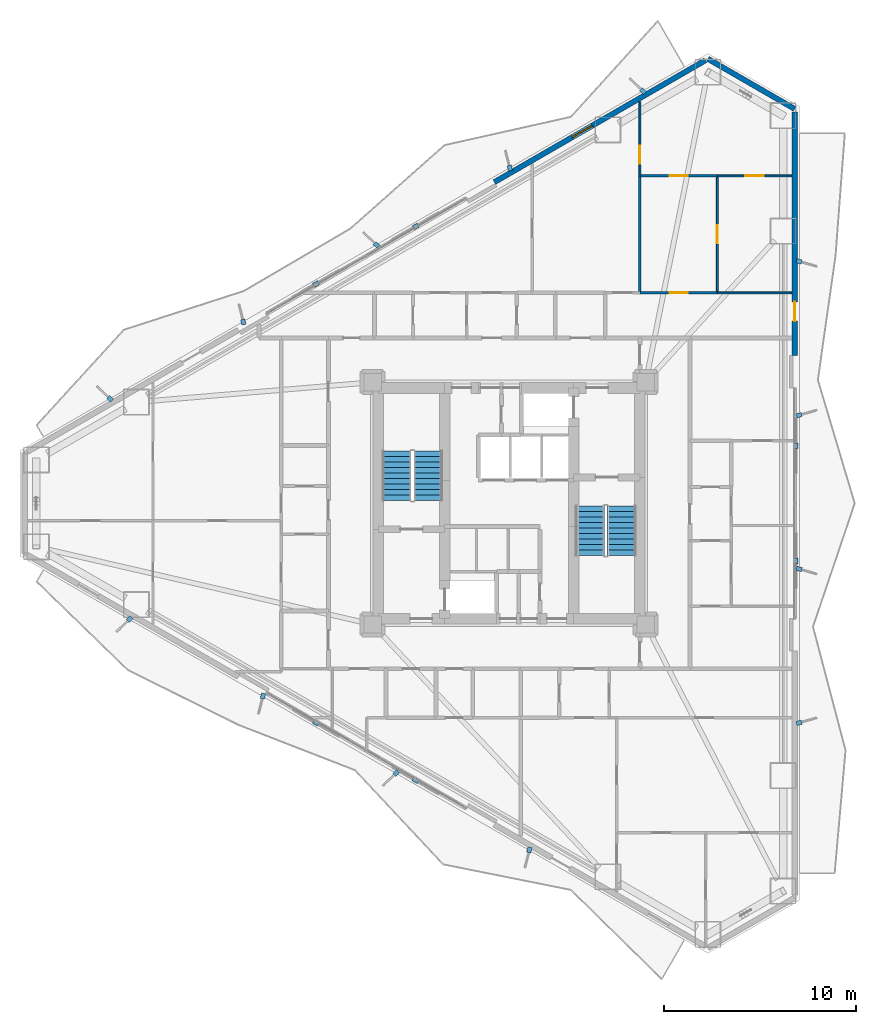
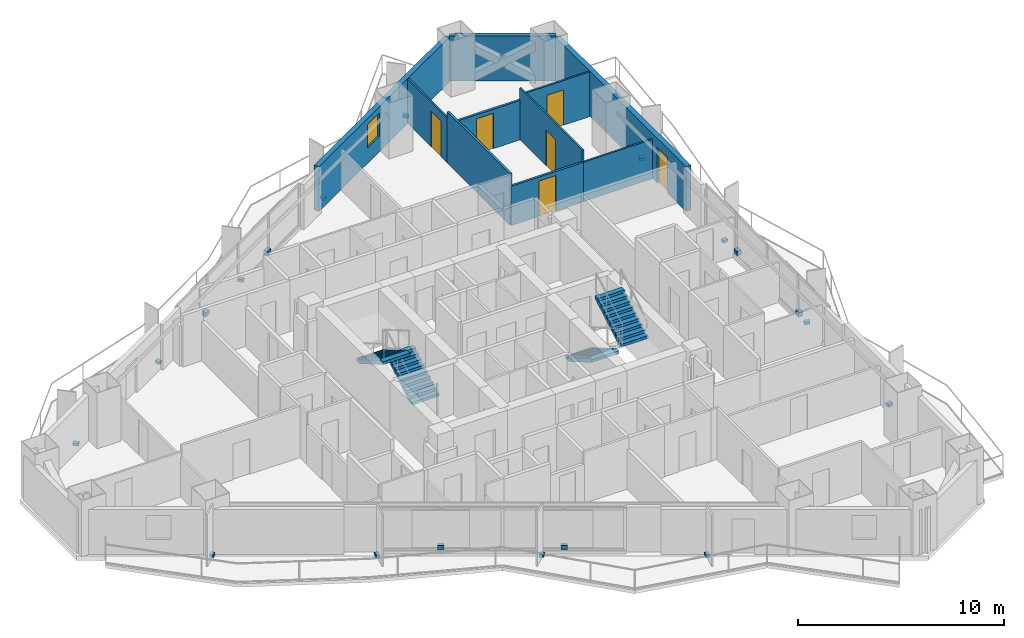
# One storey, part 17 of 19: 19 discrete accessories, 10 walls, 6 doors, 4 stair flights, 1 window, 7 openings, 2 elements without a shape of their own.
"""IFC4 building model written with IfcOpenShell, lengths in metres."""

from ifc_helpers import new_model, si_unit, direction, frame, frame_2d, origin, origin_2d, place, context, subcontext, project, spatial, polyline, rectangle, outline, extrude, material, layer, layer_set, type_object, element, fill, aggregate, save


model = new_model("IFC4")

# Units and contexts
model_context = context("Model", 3, precision=1e-05, world=origin(), true_north=direction((0.0, 1.0)))
body_context = subcontext(model_context, "Body", "Model", "MODEL_VIEW")
ifc_project = project(units=[si_unit("LENGTHUNIT", "METRE"), si_unit("AREAUNIT", "SQUARE_METRE"), si_unit("VOLUMEUNIT", "CUBIC_METRE"), si_unit("PLANEANGLEUNIT", "RADIAN"), si_unit("MASSUNIT", "GRAM", prefix="KILO")], contexts=[model_context])

# Site, building, storey
site_placement = place(None, origin())
site = spatial("IfcSite", under=ifc_project, at=site_placement, CompositionType="ELEMENT")
building_placement = place(site_placement, origin())
building = spatial("IfcBuilding", under=site, at=building_placement, Name="Mersakhor Tower and Convention Hall", CompositionType="ELEMENT")
storey_placement = place(building_placement, frame((0.0, 0.0, 25.800048828125)))
storey = spatial("IfcBuildingStorey", under=building, at=storey_placement, Name="L06", CompositionType="ELEMENT", Elevation=25.800048828125)

# Wall
ifc_material_1 = material(Name="Precast concrete C45/55", Category="concrete")
ifc_layer_1 = layer(ifc_material_1, 0.27490234375)
ifc_layer_set_1 = layer_set([ifc_layer_1], Name="Precast concrete C45/55")
wall_type_1 = type_object("IfcWallType", Name="WL-EXT-275", PredefinedType="SOLIDWALL", material=ifc_layer_set_1)
wall_1_placement = place(storey_placement, frame((39.3369140625, 49.865234375, 0.0), z_axis=(0.0, 0.0, 1.0), x_axis=(0.866043601342, -0.499968479581, 0.0)))
element("IfcWall", 1, at=wall_1_placement, inside=storey, type_object=wall_type_1, Name="L06 Chamfer Braced Spandrel Wall C1", PredefinedType="SOLIDWALL", context=body_context, shape_type="SweptSolid", body=[
    extrude(rectangle(XDim=5.211181640625, YDim=0.27490234375, at=frame_2d((2.60546875, 0.0))), origin(), (0.0, 0.0, 1.0), 2.659912109375),
])

# Wall, opening, window
wall_2_placement = place(storey_placement, frame((28.231689453125, 43.453857421875, 0.0), z_axis=(0.0, 0.0, 1.0), x_axis=(0.86603192154, 0.499988710747, 0.0)))
wall_2 = element("IfcWall", 2, at=wall_2_placement, inside=storey, type_object=wall_type_1, Name="L06 Exterior Facade Wall F1-B3", PredefinedType="SOLIDWALL", context=body_context, shape_type="SweptSolid", body=[
    extrude(rectangle(XDim=12.673095703125, YDim=0.27490234375, at=frame_2d((6.33642578125, 0.0))), origin(), (0.0, 0.0, 1.0), 2.659912109375),
])
opening_1_placement = place(wall_2_placement, frame((4.679931640625, 0.0, 0.89990234375)))
opening_1 = element("IfcOpeningElement", 3, at=opening_1_placement, cuts=wall_2, Name="Opening W-01", PredefinedType="OPENING", context=body_context, shape_type="SweptSolid", body=[
    extrude(rectangle(XDim=1.199951171875, YDim=1.39990234375, at=frame_2d((0.60009765625, 0.699951171875))), frame((0.0, 0.1474609375, 0.0), z_axis=(0.0, -1.0, 0.0), x_axis=(1.0, 0.0, 0.0)), (0.0, 0.0, 1.0), 0.294921875),
])
ifc_material_2 = material(Name="Dark solar low-E glazed aluminium window", Category="aluminium")
window_type = type_object("IfcWindowType", Name="WN-RES-120x150", PartitioningType="SINGLE_PANEL", PredefinedType="WINDOW", material=ifc_material_2)
window_placement = place(opening_1_placement, origin())
window = element("IfcWindow", 4, at=window_placement, inside=storey, type_object=window_type, Name="L06 Bedroom Facade Window F1-B3-1", OverallHeight=1.39990234375, OverallWidth=1.199951171875, PartitioningType="SINGLE_PANEL", PredefinedType="WINDOW", context=body_context, shape_type="SweptSolid", body=[
    extrude(rectangle(XDim=1.199951171875, YDim=1.39990234375, at=frame_2d((0.60009765625, 0.699951171875))), frame((0.0, 0.030029296875, 0.0), z_axis=(0.0, -1.0, 0.0), x_axis=(1.0, 0.0, 0.0)), (0.0, 0.0, 1.0), 0.06005859375),
])
fill(opening_1, window)

# Wall, opening, door
wall_3_placement = place(storey_placement, frame((43.85009765625, 47.109619140625, 0.0), z_axis=(0.0, 0.0, 1.0), x_axis=(0.0, -1.0, 0.0)))
wall_3 = element("IfcWall", 5, at=wall_3_placement, inside=storey, type_object=wall_type_1, Name="L06 Exterior Facade Wall F2-B1", PredefinedType="SOLIDWALL", context=body_context, shape_type="SweptSolid", body=[
    extrude(rectangle(XDim=12.673095703125, YDim=0.27490234375, at=frame_2d((6.33642578125, 0.0))), origin(), (0.0, 0.0, 1.0), 2.659912109375),
])
opening_2_placement = place(wall_3_placement, frame((9.8798828125, 0.0, 0.0)))
opening_2 = element("IfcOpeningElement", 6, at=opening_2_placement, cuts=wall_3, Name="Opening BD-01", PredefinedType="OPENING", context=body_context, shape_type="SweptSolid", body=[
    extrude(rectangle(XDim=1.0, YDim=2.10009765625, at=frame_2d((0.5, 1.050048828125))), frame((0.0, 0.1474609375, 0.0), z_axis=(0.0, -1.0, 0.0), x_axis=(1.0, 0.0, 0.0)), (0.0, 0.0, 1.0), 0.294921875),
])
ifc_material_3 = material(Name="Thermally broken dark aluminium and safety glass", Category="aluminium")
door_type_1 = type_object("IfcDoorType", Name="DR-BAL-100x210", OperationType="NOTDEFINED", PredefinedType="DOOR", material=ifc_material_3)
door_1_placement = place(opening_2_placement, origin())
door_1 = element("IfcDoor", 7, at=door_1_placement, inside=storey, type_object=door_type_1, Name="L06 Balcony Terrace Door F2-B1", OperationType="SINGLE_SWING_LEFT", OverallHeight=2.10009765625, OverallWidth=1.0, PredefinedType="DOOR", context=body_context, shape_type="SweptSolid", body=[
    extrude(rectangle(XDim=1.0, YDim=2.10009765625, at=frame_2d((0.5, 1.050048828125))), frame((0.0, 0.02490234375, 0.0), z_axis=(0.0, -1.0, 0.0), x_axis=(1.0, 0.0, 0.0)), (0.0, 0.0, 1.0), 0.050048828125),
])
fill(opening_2, door_1)

# Wall
ifc_material_4 = material(Name="Lightweight gypsum partition", Category="other")
ifc_layer_2 = layer(ifc_material_4, 0.10009765625)
ifc_layer_set_2 = layer_set([ifc_layer_2], Name="Lightweight gypsum partition")
wall_type_2 = type_object("IfcWallType", Name="WL-PRT-100", PredefinedType="PARTITIONING", material=ifc_layer_set_2)
wall_4_placement = place(storey_placement, frame((39.830078125, 37.699951171875, 0.0), z_axis=(0.0, 0.0, 1.0), x_axis=(1.0, 0.0, 0.0)))
element("IfcWall", 8, at=wall_4_placement, inside=storey, type_object=wall_type_2, Name="L06 Interior Partition Wall P-118", PredefinedType="PARTITIONING", context=body_context, shape_type="SweptSolid", body=[
    extrude(rectangle(XDim=3.8583984375, YDim=0.10009765625, at=frame_2d((1.92919921875, 0.0))), origin(), (0.0, 0.0, 1.0), 2.33740234375),
])

# Wall, opening, door
wall_5_placement = place(storey_placement, frame((35.800048828125, 47.63671875, 0.0), z_axis=(0.0, 0.0, 1.0), x_axis=(0.0, -1.0, 0.0)))
wall_5 = element("IfcWall", 9, at=wall_5_placement, inside=storey, type_object=wall_type_2, Name="L06 Interior Partition Wall P-120", PredefinedType="PARTITIONING", context=body_context, shape_type="SweptSolid", body=[
    extrude(rectangle(XDim=3.856689453125, YDim=0.10009765625, at=frame_2d((1.92822265625, 0.0))), origin(), (0.0, 0.0, 1.0), 2.650390625),
])
opening_3_placement = place(wall_5_placement, frame((2.27734375, 0.0, 0.0)))
opening_3 = element("IfcOpeningElement", 10, at=opening_3_placement, cuts=wall_5, Name="Opening RD-01", PredefinedType="OPENING", context=body_context, shape_type="SweptSolid", body=[
    extrude(rectangle(XDim=0.949951171875, YDim=2.10009765625, at=frame_2d((0.47509765625, 1.050048828125))), frame((0.0, 0.06005859375, 0.0), z_axis=(0.0, -1.0, 0.0), x_axis=(1.0, 0.0, 0.0)), (0.0, 0.0, 1.0), 0.1201171875),
])
ifc_material_5 = material(Name="Solid-core hardwood leaf in painted steel frame", Category="steel")
door_type_2 = type_object("IfcDoorType", Name="DR-INT-RM-095x210", OperationType="NOTDEFINED", PredefinedType="DOOR", material=ifc_material_5)
door_2_placement = place(opening_3_placement, origin())
door_2 = element("IfcDoor", 11, at=door_2_placement, inside=storey, type_object=door_type_2, Name="L06 L06 Flat N1 Master Bedroom to L06 Flat N1 Dining Room Door", OperationType="SINGLE_SWING_RIGHT", OverallHeight=2.10009765625, OverallWidth=0.949951171875, PredefinedType="DOOR", context=body_context, shape_type="SweptSolid", body=[
    extrude(rectangle(XDim=0.949951171875, YDim=2.10009765625, at=frame_2d((0.47509765625, 1.050048828125))), frame((0.0, 0.02490234375, 0.0), z_axis=(0.0, -1.0, 0.0), x_axis=(1.0, 0.0, 0.0)), (0.0, 0.0, 1.0), 0.050048828125),
])
fill(opening_3, door_2)

wall_6_placement = place(storey_placement, frame((39.830078125, 43.780029296875, 0.0), z_axis=(0.0, 0.0, 1.0), x_axis=(0.0, -1.0, 0.0)))
wall_6 = element("IfcWall", 12, at=wall_6_placement, inside=storey, type_object=wall_type_2, Name="L06 Interior Partition Wall P-122", PredefinedType="PARTITIONING", context=body_context, shape_type="SweptSolid", body=[
    extrude(rectangle(XDim=6.080078125, YDim=0.10009765625, at=frame_2d((3.0400390625, 0.0))), origin(), (0.0, 0.0, 1.0), 3.0400390625),
])
opening_4_placement = place(wall_6_placement, frame((2.56494140625, 0.0, 0.0)))
opening_4 = element("IfcOpeningElement", 13, at=opening_4_placement, cuts=wall_6, Name="Opening RD-01", PredefinedType="OPENING", context=body_context, shape_type="SweptSolid", body=[
    extrude(rectangle(XDim=0.949951171875, YDim=2.10009765625, at=frame_2d((0.47509765625, 1.050048828125))), frame((0.0, 0.06005859375, 0.0), z_axis=(0.0, -1.0, 0.0), x_axis=(1.0, 0.0, 0.0)), (0.0, 0.0, 1.0), 0.1201171875),
])
door_3_placement = place(opening_4_placement, origin())
door_3 = element("IfcDoor", 14, at=door_3_placement, inside=storey, type_object=door_type_2, Name="L06 L06 Flat N1 Bedroom 2 to L06 Flat N1 Study Room Door", OperationType="SINGLE_SWING_LEFT", OverallHeight=2.10009765625, OverallWidth=0.949951171875, PredefinedType="DOOR", context=body_context, shape_type="SweptSolid", body=[
    extrude(rectangle(XDim=0.949951171875, YDim=2.10009765625, at=frame_2d((0.47509765625, 1.050048828125))), frame((0.0, 0.02490234375, 0.0), z_axis=(0.0, -1.0, 0.0), x_axis=(1.0, 0.0, 0.0)), (0.0, 0.0, 1.0), 0.050048828125),
])
fill(opening_4, door_3)

wall_7_placement = place(storey_placement, frame((39.830078125, 43.780029296875, 0.0), z_axis=(0.0, 0.0, 1.0), x_axis=(1.0, 0.0, 0.0)))
wall_7 = element("IfcWall", 15, at=wall_7_placement, inside=storey, type_object=wall_type_2, Name="L06 Interior Partition Wall P-124", PredefinedType="PARTITIONING", context=body_context, shape_type="SweptSolid", body=[
    extrude(rectangle(XDim=3.8583984375, YDim=0.10009765625, at=frame_2d((1.92919921875, 0.0))), origin(), (0.0, 0.0, 1.0), 2.650390625),
])
opening_5_placement = place(wall_7_placement, frame((1.4541015625, 0.0, 0.0)))
opening_5 = element("IfcOpeningElement", 16, at=opening_5_placement, cuts=wall_7, Name="Opening RD-01", PredefinedType="OPENING", context=body_context, shape_type="SweptSolid", body=[
    extrude(rectangle(XDim=0.949951171875, YDim=2.10009765625, at=frame_2d((0.47509765625, 1.050048828125))), frame((0.0, 0.06005859375, 0.0), z_axis=(0.0, -1.0, 0.0), x_axis=(1.0, 0.0, 0.0)), (0.0, 0.0, 1.0), 0.1201171875),
])
door_4_placement = place(opening_5_placement, origin())
door_4 = element("IfcDoor", 17, at=door_4_placement, inside=storey, type_object=door_type_2, Name="L06 L06 Flat N1 Study Room to L06 Flat N1 Dining Room Door", OperationType="SINGLE_SWING_LEFT", OverallHeight=2.10009765625, OverallWidth=0.949951171875, PredefinedType="DOOR", context=body_context, shape_type="SweptSolid", body=[
    extrude(rectangle(XDim=0.949951171875, YDim=2.10009765625, at=frame_2d((0.47509765625, 1.050048828125))), frame((0.0, 0.02490234375, 0.0), z_axis=(0.0, -1.0, 0.0), x_axis=(1.0, 0.0, 0.0)), (0.0, 0.0, 1.0), 0.050048828125),
])
fill(opening_5, door_4)

ifc_material_6 = material(Name="Gypsum board acoustic partition", Category="other")
ifc_layer_3 = layer(ifc_material_6, 0.125)
ifc_layer_set_3 = layer_set([ifc_layer_3], Name="Gypsum board acoustic partition")
wall_type_3 = type_object("IfcWallType", Name="WL-PRT-125", PredefinedType="PARTITIONING", material=ifc_layer_set_3)
wall_8_placement = place(storey_placement, frame((35.800048828125, 37.699951171875, 0.0), z_axis=(0.0, 0.0, 1.0), x_axis=(1.0, 0.0, 0.0)))
wall_8 = element("IfcWall", 18, at=wall_8_placement, inside=storey, type_object=wall_type_3, Name="L06 Interior Partition Wall P-117", PredefinedType="PARTITIONING", context=body_context, shape_type="SweptSolid", body=[
    extrude(rectangle(XDim=4.030029296875, YDim=0.125, at=frame_2d((2.01513671875, 0.0))), origin(), (0.0, 0.0, 1.0), 2.33740234375),
])
opening_6_placement = place(wall_8_placement, frame((1.5400390625, 0.0, 0.0)))
opening_6 = element("IfcOpeningElement", 19, at=opening_6_placement, cuts=wall_8, Name="Opening RD-01", PredefinedType="OPENING", context=body_context, shape_type="SweptSolid", body=[
    extrude(rectangle(XDim=0.949951171875, YDim=2.10009765625, at=frame_2d((0.47509765625, 1.050048828125))), frame((0.0, 0.072509765625, 0.0), z_axis=(0.0, -1.0, 0.0), x_axis=(1.0, 0.0, 0.0)), (0.0, 0.0, 1.0), 0.14501953125),
])
door_5_placement = place(opening_6_placement, origin())
door_5 = element("IfcDoor", 20, at=door_5_placement, inside=storey, type_object=door_type_2, Name="L06 L06 Flat N1 Study Room to L06 Flat N1 Bedroom 2 Door", OperationType="SINGLE_SWING_RIGHT", OverallHeight=2.10009765625, OverallWidth=0.949951171875, PredefinedType="DOOR", context=body_context, shape_type="SweptSolid", body=[
    extrude(rectangle(XDim=0.949951171875, YDim=2.10009765625, at=frame_2d((0.47509765625, 1.050048828125))), frame((0.0, 0.02490234375, 0.0), z_axis=(0.0, -1.0, 0.0), x_axis=(1.0, 0.0, 0.0)), (0.0, 0.0, 1.0), 0.050048828125),
])
fill(opening_6, door_5)

# Wall
wall_9_placement = place(storey_placement, frame((35.800048828125, 43.780029296875, 0.0), z_axis=(0.0, 0.0, 1.0), x_axis=(0.0, -1.0, 0.0)))
element("IfcWall", 21, at=wall_9_placement, inside=storey, type_object=wall_type_3, Name="L06 Interior Partition Wall P-121", PredefinedType="PARTITIONING", context=body_context, shape_type="SweptSolid", body=[
    extrude(rectangle(XDim=6.080078125, YDim=0.125, at=frame_2d((3.0400390625, 0.0))), origin(), (0.0, 0.0, 1.0), 3.0400390625),
])

# Wall, opening, door
wall_10_placement = place(storey_placement, frame((35.800048828125, 43.780029296875, 0.0), z_axis=(0.0, 0.0, 1.0), x_axis=(1.0, 0.0, 0.0)))
wall_10 = element("IfcWall", 22, at=wall_10_placement, inside=storey, type_object=wall_type_3, Name="L06 Interior Partition Wall P-123", PredefinedType="PARTITIONING", context=body_context, shape_type="SweptSolid", body=[
    extrude(rectangle(XDim=4.030029296875, YDim=0.125, at=frame_2d((2.01513671875, 0.0))), origin(), (0.0, 0.0, 1.0), 2.33740234375),
])
opening_7_placement = place(wall_10_placement, frame((1.5400390625, 0.0, 0.0)))
opening_7 = element("IfcOpeningElement", 23, at=opening_7_placement, cuts=wall_10, Name="Opening RD-01", PredefinedType="OPENING", context=body_context, shape_type="SweptSolid", body=[
    extrude(rectangle(XDim=0.949951171875, YDim=2.10009765625, at=frame_2d((0.47509765625, 1.050048828125))), frame((0.0, 0.072509765625, 0.0), z_axis=(0.0, -1.0, 0.0), x_axis=(1.0, 0.0, 0.0)), (0.0, 0.0, 1.0), 0.14501953125),
])
door_6_placement = place(opening_7_placement, origin())
door_6 = element("IfcDoor", 24, at=door_6_placement, inside=storey, type_object=door_type_2, Name="L06 L06 Flat N1 Bedroom 2 to L06 Flat N1 Dining Room Door", OperationType="SINGLE_SWING_RIGHT", OverallHeight=2.10009765625, OverallWidth=0.949951171875, PredefinedType="DOOR", context=body_context, shape_type="SweptSolid", body=[
    extrude(rectangle(XDim=0.949951171875, YDim=2.10009765625, at=frame_2d((0.47509765625, 1.050048828125))), frame((0.0, 0.02490234375, 0.0), z_axis=(0.0, -1.0, 0.0), x_axis=(1.0, 0.0, 0.0)), (0.0, 0.0, 1.0), 0.050048828125),
])
fill(opening_7, door_6)

# Stair, stair flights
ifc_material_7 = material(Name="Concrete C45/55", Category="concrete")
stair_type = type_object("IfcStairType", Name="ST-TWR-20R", PredefinedType="HALF_TURN_STAIR", material=ifc_material_7)
stair_1_placement = place(storey_placement, origin())
stair_1 = element("IfcStair", 25, at=stair_1_placement, inside=storey, type_object=stair_type, Name="L06 Tower Protected Exit Stair ST-1", PredefinedType="HALF_TURN_STAIR")
ifc_material_8 = material(Name="Concrete C45/55", Category="concrete")
stair_flight_type = type_object("IfcStairFlightType", Name="SFL-TWR-20R", PredefinedType="STRAIGHT", material=ifc_material_8)
stair_flight_1_placement = place(storey_placement, frame((24.800048828125, 26.89990234375, 0.0), z_axis=(0.0, 0.0, 1.0), x_axis=(0.0, 1.0, 0.0)))
stair_flight_1 = element("IfcStairFlight", 26, at=stair_flight_1_placement, type_object=stair_flight_type, Name="ST-1 flight 1", NumberOfRisers=10, NumberOfTreads=9, PredefinedType="STRAIGHT", RiserHeight=0.165, TreadLength=0.285, context=body_context, shape_type="SweptSolid", body=[
    extrude(outline(polyline([(0.0, 0.0), (0.0, 0.1650390625), (0.284912109375, 0.1650390625), (0.284912109375, 0.330078125), (0.570068359375, 0.330078125), (0.570068359375, 0.4951171875), (0.85498046875, 0.4951171875), (0.85498046875, 0.659912109375), (1.139892578125, 0.659912109375), (1.139892578125, 0.824951171875), (1.425048828125, 0.824951171875), (1.425048828125, 0.989990234375), (1.7099609375, 0.989990234375), (1.7099609375, 1.155029296875), (1.9951171875, 1.155029296875), (1.9951171875, 1.320068359375), (2.280029296875, 1.320068359375), (2.280029296875, 1.485107421875), (2.56494140625, 1.485107421875), (2.56494140625, 1.64990234375), (2.56494140625, 1.311767578125), (0.299072265625, 0.0), (0.0, 0.0)])), frame((0.0, 0.75, 0.0), z_axis=(0.0, -1.0, 0.0), x_axis=(1.0, 0.0, 0.0)), (0.0, 0.0, 1.0), 1.5),
])
stair_flight_2_placement = place(storey_placement, frame((23.14990234375, 29.465087890625, 1.64990234375), z_axis=(0.0, 0.0, 1.0), x_axis=(0.0, -1.0, 0.0)))
stair_flight_2 = element("IfcStairFlight", 27, at=stair_flight_2_placement, type_object=stair_flight_type, Name="ST-1 flight 2", NumberOfRisers=10, NumberOfTreads=9, PredefinedType="STRAIGHT", RiserHeight=0.165, TreadLength=0.285, context=body_context, shape_type="SweptSolid", body=[
    extrude(outline(polyline([(0.0, 0.0), (0.0, 0.1650390625), (0.284912109375, 0.1650390625), (0.284912109375, 0.330078125), (0.570068359375, 0.330078125), (0.570068359375, 0.4951171875), (0.85498046875, 0.4951171875), (0.85498046875, 0.659912109375), (1.139892578125, 0.659912109375), (1.139892578125, 0.824951171875), (1.425048828125, 0.824951171875), (1.425048828125, 0.989990234375), (1.7099609375, 0.989990234375), (1.7099609375, 1.155029296875), (1.9951171875, 1.155029296875), (1.9951171875, 1.320068359375), (2.280029296875, 1.320068359375), (2.280029296875, 1.485107421875), (2.56494140625, 1.485107421875), (2.56494140625, 1.64990234375), (2.56494140625, 1.311767578125), (0.299072265625, 0.0), (0.0, 0.0)])), frame((0.0, 0.75, 0.0), z_axis=(0.0, -1.0, 0.0), x_axis=(1.0, 0.0, 0.0)), (0.0, 0.0, 1.0), 1.5),
])
aggregate(stair_1, [stair_flight_1, stair_flight_2])

stair_2_placement = place(storey_placement, origin())
stair_2 = element("IfcStair", 28, at=stair_2_placement, inside=storey, type_object=stair_type, Name="L06 Tower Protected Exit Stair ST-2", PredefinedType="HALF_TURN_STAIR")
stair_flight_3_placement = place(storey_placement, frame((33.199951171875, 26.60009765625, 0.0), z_axis=(0.0, 0.0, 1.0), x_axis=(0.0, -1.0, 0.0)))
stair_flight_3 = element("IfcStairFlight", 29, at=stair_flight_3_placement, type_object=stair_flight_type, Name="ST-2 flight 1", NumberOfRisers=10, NumberOfTreads=9, PredefinedType="STRAIGHT", RiserHeight=0.165, TreadLength=0.285, context=body_context, shape_type="SweptSolid", body=[
    extrude(outline(polyline([(0.0, 0.0), (0.0, 0.1650390625), (0.284912109375, 0.1650390625), (0.284912109375, 0.330078125), (0.570068359375, 0.330078125), (0.570068359375, 0.4951171875), (0.85498046875, 0.4951171875), (0.85498046875, 0.659912109375), (1.139892578125, 0.659912109375), (1.139892578125, 0.824951171875), (1.425048828125, 0.824951171875), (1.425048828125, 0.989990234375), (1.7099609375, 0.989990234375), (1.7099609375, 1.155029296875), (1.9951171875, 1.155029296875), (1.9951171875, 1.320068359375), (2.280029296875, 1.320068359375), (2.280029296875, 1.485107421875), (2.56494140625, 1.485107421875), (2.56494140625, 1.64990234375), (2.56494140625, 1.311767578125), (0.299072265625, 0.0), (0.0, 0.0)])), frame((0.0, 0.75, 0.0), z_axis=(0.0, -1.0, 0.0), x_axis=(1.0, 0.0, 0.0)), (0.0, 0.0, 1.0), 1.5),
])
stair_flight_4_placement = place(storey_placement, frame((34.85009765625, 24.034912109375, 1.64990234375), z_axis=(0.0, 0.0, 1.0), x_axis=(0.0, 1.0, 0.0)))
stair_flight_4 = element("IfcStairFlight", 30, at=stair_flight_4_placement, type_object=stair_flight_type, Name="ST-2 flight 2", NumberOfRisers=10, NumberOfTreads=9, PredefinedType="STRAIGHT", RiserHeight=0.165, TreadLength=0.285, context=body_context, shape_type="SweptSolid", body=[
    extrude(outline(polyline([(0.0, 0.0), (0.0, 0.1650390625), (0.284912109375, 0.1650390625), (0.284912109375, 0.330078125), (0.570068359375, 0.330078125), (0.570068359375, 0.4951171875), (0.85498046875, 0.4951171875), (0.85498046875, 0.659912109375), (1.139892578125, 0.659912109375), (1.139892578125, 0.824951171875), (1.425048828125, 0.824951171875), (1.425048828125, 0.989990234375), (1.7099609375, 0.989990234375), (1.7099609375, 1.155029296875), (1.9951171875, 1.155029296875), (1.9951171875, 1.320068359375), (2.280029296875, 1.320068359375), (2.280029296875, 1.485107421875), (2.56494140625, 1.485107421875), (2.56494140625, 1.64990234375), (2.56494140625, 1.311767578125), (0.299072265625, 0.0), (0.0, 0.0)])), frame((0.0, 0.75, 0.0), z_axis=(0.0, -1.0, 0.0), x_axis=(1.0, 0.0, 0.0)), (0.0, 0.0, 1.0), 1.5),
])
aggregate(stair_2, [stair_flight_3, stair_flight_4])

# Discrete accessories
ifc_material_9 = material(Name="Galvanised steel bracket", Category="steel")
ifc_layer_4 = layer(ifc_material_9, 0.02001953125)
ifc_layer_set_4 = layer_set([ifc_layer_4], Name="Galvanised steel bracket")
discrete_accessory_type = type_object("IfcDiscreteAccessoryType", Name="ACC-BRK-STL", PredefinedType="BRACKET", material=ifc_layer_set_4)
for number, where, z_axis, x_axis, name in (
    (31, (18.957763671875, 38.156982421875, 0.2900390625), (0.0, 0.0, 1.0), (0.866025403784, 0.5, 0.0), "L06 Solar Screen Outrigger Bracket BRK-1-1"),
    (32, (24.142333984375, 41.150390625, 0.2900390625), (0.0, 0.0, 1.0), (0.866025403784, 0.5, 0.0), "L06 Solar Screen Outrigger Bracket BRK-1-2"),
):
    element("IfcDiscreteAccessory", number, at=place(storey_placement, frame(where, z_axis=z_axis, x_axis=x_axis)), inside=storey, type_object=discrete_accessory_type, Name=name, PredefinedType="BRACKET", context=body_context, shape_type="SweptSolid", body=[
        extrude(rectangle(XDim=0.300048828125, YDim=0.239990234375, at=origin_2d()), origin(), (0.0, 0.0, 1.0), 0.260009765625),
    ])
for number, where, z_axis, x_axis, name in (
    (33, (8.24951171875, 32.1826171875, -0.02001953125), (0.0, 0.0, 1.0), (-0.719339800339, 0.694658370459, 0.0), "L06 Facade Fin Base Cleat Bracket FBRK-1-1"),
    (34, (15.177734375, 36.1826171875, -0.02001953125), (0.0, 0.0, 1.0), (-0.2419218956, 0.970295726276, 0.0), "L06 Facade Fin Base Cleat Bracket FBRK-1-2"),
    (35, (22.10595703125, 40.1826171875, -0.02001953125), (0.0, 0.0, 1.0), (-0.719339800339, 0.694658370459, 0.0), "L06 Facade Fin Base Cleat Bracket FBRK-1-3"),
    (36, (29.0341796875, 44.1826171875, -0.02001953125), (0.0, 0.0, 1.0), (-0.2419218956, 0.970295726276, 0.0), "L06 Facade Fin Base Cleat Bracket FBRK-1-4"),
    (37, (35.96240234375, 48.1826171875, -0.02001953125), (0.0, 0.0, 1.0), (-0.719339800339, 0.694658370459, 0.0), "L06 Facade Fin Base Cleat Bracket FBRK-1-5"),
):
    element("IfcDiscreteAccessory", number, at=place(storey_placement, frame(where, z_axis=z_axis, x_axis=x_axis)), inside=storey, type_object=discrete_accessory_type, Name=name, PredefinedType="BRACKET", context=body_context, shape_type="SweptSolid", body=[
        extrude(rectangle(XDim=0.280029296875, YDim=0.219970703125, at=origin_2d()), origin(), (0.0, 0.0, 1.0), 0.159912109375),
    ])
for number, where, z_axis, x_axis, name in (
    (38, (43.89990234375, 29.743408203125, 0.2900390625), (0.0, 0.0, 1.0), (0.0, -1.0, 0.0), "L06 Solar Screen Outrigger Bracket BRK-2-1"),
    (39, (43.89990234375, 23.756591796875, 0.2900390625), (0.0, 0.0, 1.0), (0.0, -1.0, 0.0), "L06 Solar Screen Outrigger Bracket BRK-2-2"),
):
    element("IfcDiscreteAccessory", number, at=place(storey_placement, frame(where, z_axis=z_axis, x_axis=x_axis)), inside=storey, type_object=discrete_accessory_type, Name=name, PredefinedType="BRACKET", context=body_context, shape_type="SweptSolid", body=[
        extrude(rectangle(XDim=0.300048828125, YDim=0.239990234375, at=origin_2d()), origin(), (0.0, 0.0, 1.0), 0.260009765625),
    ])
for number, where, z_axis, x_axis, name in (
    (40, (44.080078125, 39.33740234375, -0.02001953125), (0.0, 0.0, 1.0), (0.961261695938, -0.275637355817, 0.0), "L06 Facade Fin Base Cleat Bracket FBRK-2-1"),
    (41, (44.080078125, 31.33740234375, -0.02001953125), (0.0, 0.0, 1.0), (0.961261695938, 0.275637355817, 0.0), "L06 Facade Fin Base Cleat Bracket FBRK-2-2"),
    (42, (44.080078125, 23.33740234375, -0.02001953125), (0.0, 0.0, 1.0), (0.961261695938, -0.275637355817, 0.0), "L06 Facade Fin Base Cleat Bracket FBRK-2-3"),
    (43, (44.080078125, 15.33740234375, -0.02001953125), (0.0, 0.0, 1.0), (0.961261695938, 0.275637355817, 0.0), "L06 Facade Fin Base Cleat Bracket FBRK-2-4"),
):
    element("IfcDiscreteAccessory", number, at=place(storey_placement, frame(where, z_axis=z_axis, x_axis=x_axis)), inside=storey, type_object=discrete_accessory_type, Name=name, PredefinedType="BRACKET", context=body_context, shape_type="SweptSolid", body=[
        extrude(rectangle(XDim=0.280029296875, YDim=0.219970703125, at=origin_2d()), origin(), (0.0, 0.0, 1.0), 0.159912109375),
    ])
for number, where, z_axis, x_axis, name in (
    (44, (24.14208984375, 12.349609375, 0.2900390625), (0.0, 0.0, 1.0), (-0.866025403784, 0.5, 0.0), "L06 Solar Screen Outrigger Bracket BRK-3-1"),
    (45, (18.957763671875, 15.3427734375, 0.2900390625), (0.0, 0.0, 1.0), (-0.866025403784, 0.5, 0.0), "L06 Solar Screen Outrigger Bracket BRK-3-2"),
):
    element("IfcDiscreteAccessory", number, at=place(storey_placement, frame(where, z_axis=z_axis, x_axis=x_axis)), inside=storey, type_object=discrete_accessory_type, Name=name, PredefinedType="BRACKET", context=body_context, shape_type="SweptSolid", body=[
        extrude(rectangle(XDim=0.300048828125, YDim=0.239990234375, at=origin_2d()), origin(), (0.0, 0.0, 1.0), 0.260009765625),
    ])
for number, where, z_axis, x_axis, name in (
    (46, (30.051513671875, 8.72998046875, -0.02001953125), (0.0, 0.0, 1.0), (-0.2419218956, -0.970295726276, 0.0), "L06 Facade Fin Base Cleat Bracket FBRK-3-1"),
    (47, (23.123291015625, 12.72998046875, -0.02001953125), (0.0, 0.0, 1.0), (-0.719339800339, -0.694658370459, 0.0), "L06 Facade Fin Base Cleat Bracket FBRK-3-2"),
    (48, (16.1953125, 16.72998046875, -0.02001953125), (0.0, 0.0, 1.0), (-0.2419218956, -0.970295726276, 0.0), "L06 Facade Fin Base Cleat Bracket FBRK-3-3"),
    (49, (9.266845703125, 20.72998046875, -0.02001953125), (0.0, 0.0, 1.0), (-0.719339800339, -0.694658370459, 0.0), "L06 Facade Fin Base Cleat Bracket FBRK-3-4"),
):
    element("IfcDiscreteAccessory", number, at=place(storey_placement, frame(where, z_axis=z_axis, x_axis=x_axis)), inside=storey, type_object=discrete_accessory_type, Name=name, PredefinedType="BRACKET", context=body_context, shape_type="SweptSolid", body=[
        extrude(rectangle(XDim=0.280029296875, YDim=0.219970703125, at=origin_2d()), origin(), (0.0, 0.0, 1.0), 0.159912109375),
    ])

save(model, "model.ifc")
